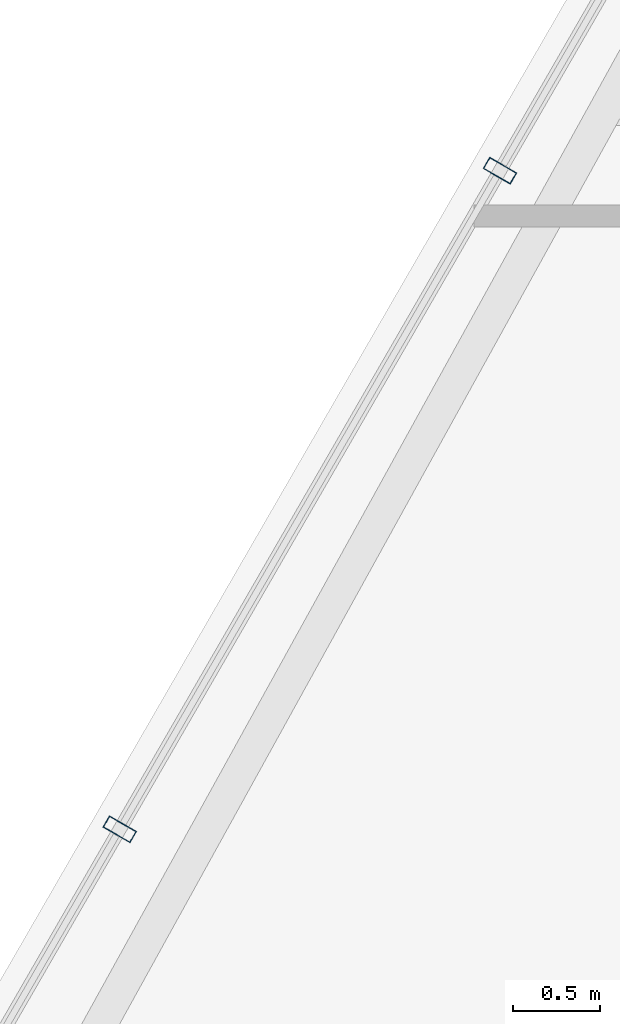
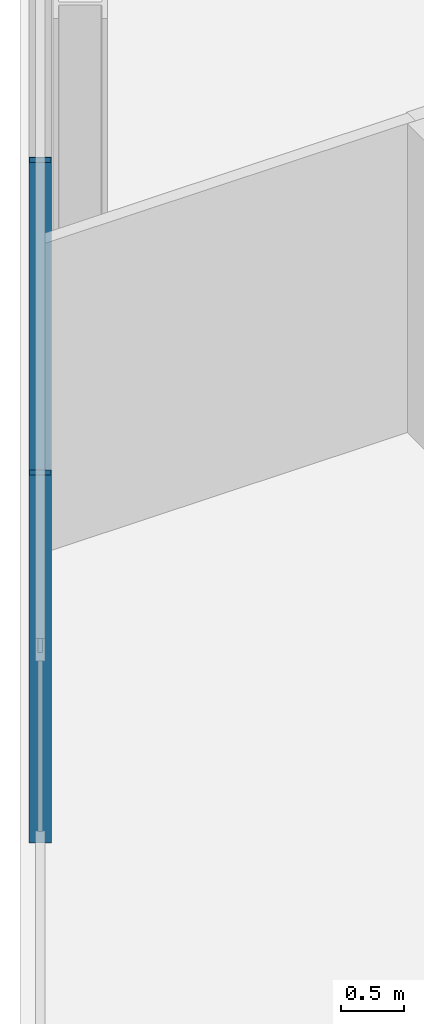
# One storey, part 10 of 29: 2 members, 1 element without a shape of its own.
"""IFC4 building model written with IfcOpenShell, lengths in metres."""

import ifcopenshell
import ifcopenshell.guid

model = None  # the IFC model being written
_history = None  # IfcOwnerHistory: only IFC2X3 demands one
_inside = {}  # id of a spatial element -> (the spatial element, [elements in it])
_under = {}  # id of a project, library or spatial element -> (it, [spatial elements below it])
_declared = {}  # id of a project -> (the project, [libraries it declares])
_typed = {}  # id of a type object -> (the type object, [elements of that type])
_made_of = {}  # id of a material, layer set ... -> (it, [elements and type objects made of it])


def new_model(schema):
    """Start an empty IFC model of exactly this schema.

    Asked for "IFC4X3", IfcOpenShell would pick the latest addendum, in which some entities
    have other attributes; the version numbers below select the first issue.
    IFC2X3 requires an IfcOwnerHistory on every rooted entity: one is made here for all.
    """
    global model, _history
    if schema == "IFC4X3":
        model = ifcopenshell.file(schema_version=(4, 3, 0, 0))
    else:
        model = ifcopenshell.file(schema=schema)
    _inside.clear()
    _under.clear()
    _declared.clear()
    _typed.clear()
    _made_of.clear()
    _history = None
    if model.schema == "IFC2X3":
        org = make("IfcOrganization", Name="unknown")
        user = make(
            "IfcPersonAndOrganization",
            ThePerson=make("IfcPerson", FamilyName="unknown"),
            TheOrganization=org,
        )
        app = make(
            "IfcApplication",
            ApplicationDeveloper=org,
            Version="unknown",
            ApplicationFullName="unknown",
            ApplicationIdentifier="unknown",
        )
        _history = make(
            "IfcOwnerHistory",
            OwningUser=user,
            OwningApplication=app,
            ChangeAction="ADDED",
            CreationDate=0,
        )
    return model


def make(cls, **values):
    """One entity of the class cls with the attributes given. An attribute that is None is left unset."""
    return model.create_entity(
        cls, **{name: value for name, value in values.items() if value is not None}
    )


def rooted(cls, **values):
    """An entity with a GlobalId (a new one), such as an element, a storey or a relation."""
    return make(cls, GlobalId=ifcopenshell.guid.new(), OwnerHistory=_history, **values)


def si_unit(unit_type, name, prefix=None):
    """IfcSIUnit, for example si_unit("LENGTHUNIT", "METRE", prefix="MILLI")."""
    return make("IfcSIUnit", UnitType=unit_type, Prefix=prefix, Name=name)


def assignment(units):
    """IfcUnitAssignment: the units of a project."""
    return None if units is None else make("IfcUnitAssignment", Units=units)


def point(xyz):
    """IfcCartesianPoint."""
    return None if xyz is None else make("IfcCartesianPoint", Coordinates=xyz)


def direction(xyz):
    """IfcDirection."""
    return None if xyz is None else make("IfcDirection", DirectionRatios=xyz)


def frame(location, z_axis=None, x_axis=None):
    """IfcAxis2Placement3D, a coordinate frame: its origin and axes. An axis left out is left unset."""
    return make(
        "IfcAxis2Placement3D",
        Location=point(location),
        Axis=direction(z_axis),
        RefDirection=direction(x_axis),
    )


def frame_2d(location, x_axis=None):
    """IfcAxis2Placement2D, a coordinate frame in the plane: its origin and x axis."""
    return make(
        "IfcAxis2Placement2D", Location=point(location), RefDirection=direction(x_axis)
    )


def origin():
    """The frame at (0, 0, 0) with its axes left unset."""
    return frame((0.0, 0.0, 0.0))


def origin_2d():
    """The frame at (0, 0) in the plane with its x axis left unset."""
    return frame_2d((0.0, 0.0))


def place(relative_to, where):
    """IfcLocalPlacement: puts the frame where relative to a parent placement (None: the world)."""
    return make(
        "IfcLocalPlacement", PlacementRelTo=relative_to, RelativePlacement=where
    )


def context(
    kind, dimensions, precision=None, world=None, true_north=None, identifier=None
):
    """IfcGeometricRepresentationContext, for example the 3D "Model" context."""
    return make(
        "IfcGeometricRepresentationContext",
        ContextIdentifier=identifier,
        ContextType=kind,
        CoordinateSpaceDimension=dimensions,
        Precision=precision,
        WorldCoordinateSystem=world,
        TrueNorth=true_north,
    )


def subcontext(parent, identifier, kind, view, scale=None):
    """IfcGeometricRepresentationSubContext, for example "Body" below "Model"."""
    return make(
        "IfcGeometricRepresentationSubContext",
        ContextIdentifier=identifier,
        ContextType=kind,
        ParentContext=parent,
        TargetScale=scale,
        TargetView=view,
    )


def project(units=None, contexts=None):
    """IfcProject with its units and contexts."""
    return rooted(
        "IfcProject",
        Name="project",
        RepresentationContexts=contexts,
        UnitsInContext=assignment(units),
    )


def spatial(cls, under=None, at=None, **own):
    """A site, building, storey or space (cls), placed at a placement, below another one or the project."""
    s = rooted(cls, ObjectPlacement=at, **own)
    if under is not None:
        _under.setdefault(under.id(), (under, []))[1].append(s)
    return s


def profile(cls, at=None, kind="AREA", **sizes):
    """A parametric profile (cls). Its sizes go by their IFC names, for example OverallWidth=200.0."""
    return make(cls, ProfileType=kind, Position=at, **sizes)


def hollow_rectangle(**sizes):
    """IfcRectangleHollowProfileDef."""
    return profile("IfcRectangleHollowProfileDef", **sizes)


def extrude(swept, where, along, depth):
    """IfcExtrudedAreaSolid: the profile swept, set in the frame where, extruded along a direction by depth."""
    return make(
        "IfcExtrudedAreaSolid",
        SweptArea=swept,
        Position=where,
        ExtrudedDirection=direction(along),
        Depth=depth,
    )


def shape(context_of_items, identifier, shape_type, items):
    """IfcShapeRepresentation: the items that make up one representation, for example the "Body"."""
    return make(
        "IfcShapeRepresentation",
        ContextOfItems=context_of_items,
        RepresentationIdentifier=identifier,
        RepresentationType=shape_type,
        Items=items,
    )


def material(Name=None, Category=None):
    """IfcMaterial."""
    return make("IfcMaterial", Name=Name, Category=Category)


def layer(
    of_material, thickness, ventilated=None, Name=None, Category=None, Priority=None
):
    """IfcMaterialLayer: one layer of a wall or slab, of a material (None: an air gap)."""
    return make(
        "IfcMaterialLayer",
        Material=of_material,
        LayerThickness=thickness,
        IsVentilated=ventilated,
        Name=Name,
        Category=Category,
        Priority=Priority,
    )


def layer_set(layers, Name=None):
    """IfcMaterialLayerSet."""
    return make("IfcMaterialLayerSet", MaterialLayers=layers, LayerSetName=Name)


def material_profile(
    of_material, cross_section, Name=None, Category=None, Priority=None
):
    """IfcMaterialProfile: a cross section and its material."""
    return make(
        "IfcMaterialProfile",
        Name=Name,
        Material=of_material,
        Profile=cross_section,
        Priority=Priority,
        Category=Category,
    )


def profile_set(profiles, Name=None, composite=None):
    """IfcMaterialProfileSet."""
    return make(
        "IfcMaterialProfileSet",
        Name=Name,
        MaterialProfiles=profiles,
        CompositeProfile=composite,
    )


def made_of(thing, what):
    """Note that an element or type object is made of a material, layer set ...; save() writes the relation."""
    if what is not None:
        _made_of.setdefault(what.id(), (what, []))[1].append(thing)
    return thing


def type_object(cls, material=None, **own):
    """A type object (cls), such as IfcWallType, which elements share."""
    return made_of(rooted(cls, **own), material)


def element(
    cls,
    number,
    at=None,
    inside=None,
    cuts=None,
    type_object=None,
    material=None,
    context=None,
    identifier="Body",
    shape_type=None,
    held_by="IfcProductDefinitionShape",
    body=None,
    shapes=None,
    **own,
):
    """One element of the class cls, such as IfcWall. Its Tag is "e" and its number.

    at: its placement. inside: the storey or other place that contains it. cuts: it is an
    opening in that element (IfcRelVoidsElement). A single representation is given by context,
    identifier, shape_type and body (its items); several are given by shapes. held_by: the class
    of the entity that holds the representations. save() writes the other relations.
    """
    e = rooted(cls, Tag="e%d" % number, ObjectPlacement=at, **own)
    if body is not None:
        shapes = [shape(context, identifier, shape_type, body)]
    if shapes is not None:
        e.Representation = make(held_by, Representations=shapes)
    if inside is not None:
        _inside.setdefault(inside.id(), (inside, []))[1].append(e)
    if cuts is not None:
        rooted(
            "IfcRelVoidsElement", RelatingBuildingElement=cuts, RelatedOpeningElement=e
        )
    if type_object is not None:
        _typed.setdefault(type_object.id(), (type_object, []))[1].append(e)
    return made_of(e, material)


def aggregate(whole, parts):
    """IfcRelAggregates: a whole, such as a stair, and the parts it consists of."""
    return rooted("IfcRelAggregates", RelatingObject=whole, RelatedObjects=parts)


def save(model, path):
    """Write the relations noted so far, then the file.

    IfcRelAggregates (storeys below a building ...), IfcRelContainedInSpatialStructure (elements
    in a storey), IfcRelDefinesByType, IfcRelAssociatesMaterial and IfcRelDeclares: one each for
    every whole, place, type object, material and project.
    """
    for whole, parts in _under.values():
        aggregate(whole, parts)
    for where, things in _inside.values():
        rooted(
            "IfcRelContainedInSpatialStructure",
            RelatedElements=things,
            RelatingStructure=where,
        )
    for kind, things in _typed.values():
        rooted("IfcRelDefinesByType", RelatedObjects=things, RelatingType=kind)
    for what, things in _made_of.values():
        rooted("IfcRelAssociatesMaterial", RelatedObjects=things, RelatingMaterial=what)
    for by, libraries in _declared.values():
        rooted("IfcRelDeclares", RelatingContext=by, RelatedDefinitions=libraries)
    model.write(path)


model = new_model("IFC4")

# Units and contexts
model_context = context("Model", 3, precision=1e-05, world=origin(), true_north=direction((0.0, 1.0)))
body_context = subcontext(model_context, "Body", "Model", "MODEL_VIEW")
ifc_project = project(units=[si_unit("LENGTHUNIT", "METRE"), si_unit("AREAUNIT", "SQUARE_METRE"), si_unit("VOLUMEUNIT", "CUBIC_METRE"), si_unit("PLANEANGLEUNIT", "RADIAN"), si_unit("MASSUNIT", "GRAM", prefix="KILO")], contexts=[model_context])

# Site, building, storey
site_placement = place(None, origin())
site = spatial("IfcSite", under=ifc_project, at=site_placement, CompositionType="ELEMENT")
building_placement = place(site_placement, origin())
building = spatial("IfcBuilding", under=site, at=building_placement, Name="Ndaravel Arena Tower", CompositionType="ELEMENT")
storey_placement = place(building_placement, frame((0.0, 0.0, 233.199951171875)))
storey = spatial("IfcBuildingStorey", under=building, at=storey_placement, Name="L56", CompositionType="ELEMENT", Elevation=233.199951171875)

# Curtain wall, members
ifc_material_1 = material(Name="Aluminium", Category="aluminium")
ifc_layer = layer(ifc_material_1, 0.179931640625)
ifc_layer_set = layer_set([ifc_layer], Name="Aluminium")
curtain_wall_type = type_object("IfcCurtainWallType", Name="CW-SYS-03", PredefinedType="NOTDEFINED", material=ifc_layer_set)
curtain_wall_placement = place(storey_placement, origin())
curtain_wall = element("IfcCurtainWall", 1, at=curtain_wall_placement, inside=storey, type_object=curtain_wall_type, Name="L56 Faceted Crystal Curtain Wall CW-L56-E05", PredefinedType="NOTDEFINED")
ifc_material_2 = material(Name="Aluminium", Category="aluminium")
ifc_material_profile = material_profile(ifc_material_2, hollow_rectangle(XDim=0.074951171875, YDim=0.179931640625, WallThickness=0.00390625, at=origin_2d()), Name="CW MULLION 75x180x4")
ifc_profile_set = profile_set([ifc_material_profile], Name="Aluminium")
member_type = type_object("IfcMemberType", Name="MEM-CW-MUL180", PredefinedType="MULLION", material=ifc_profile_set)
member_1_placement = place(storey_placement, frame((27.52880859375, 26.458984375, 0.0), z_axis=(0.0, 0.0, 1.0), x_axis=(-0.5, -0.866025403784, 0.0)))
member_1 = element("IfcMember", 2, at=member_1_placement, type_object=member_type, Name="CW-L56-E05 Mullion 05", PredefinedType="MULLION", context=body_context, shape_type="SweptSolid", body=[
    extrude(hollow_rectangle(XDim=0.074951171875, YDim=0.179931640625, WallThickness=0.00390625, at=origin_2d()), origin(), (0.0, 0.0, 1.0), 3.580078125),
])
member_2_placement = place(storey_placement, frame((25.3544921875, 22.69287109375, 0.0), z_axis=(0.0, 0.0, 1.0), x_axis=(-0.5, -0.866025403784, 0.0)))
member_2 = element("IfcMember", 3, at=member_2_placement, type_object=member_type, Name="CW-L56-E05 Mullion 06", PredefinedType="MULLION", context=body_context, shape_type="SweptSolid", body=[
    extrude(hollow_rectangle(XDim=0.074951171875, YDim=0.179931640625, WallThickness=0.00390625, at=origin_2d()), origin(), (0.0, 0.0, 1.0), 3.580078125),
])
aggregate(curtain_wall, [member_1, member_2])

save(model, "model.ifc")
